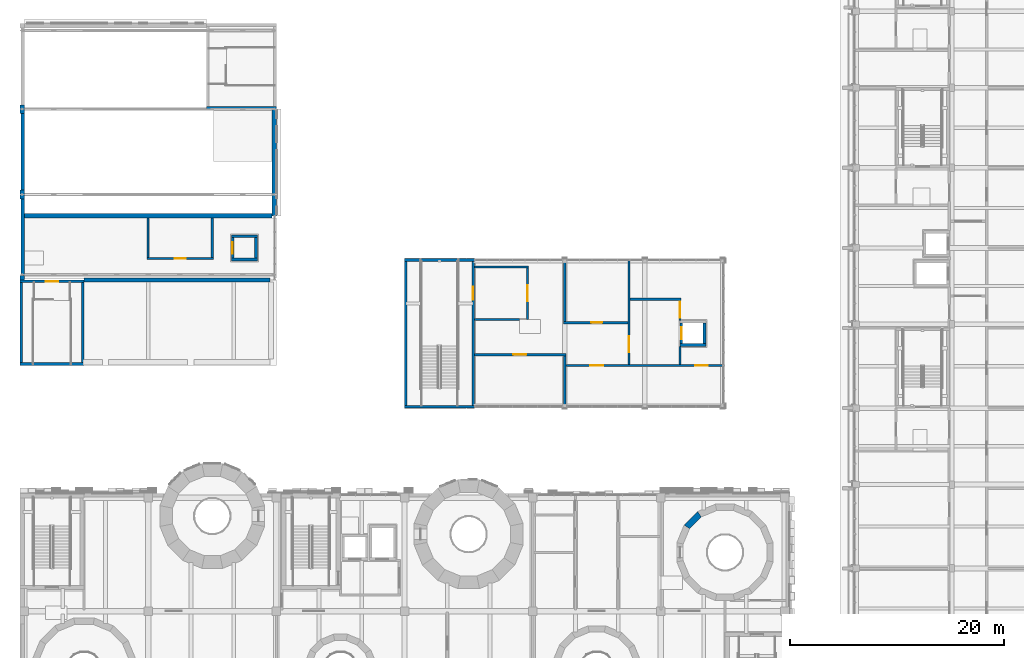
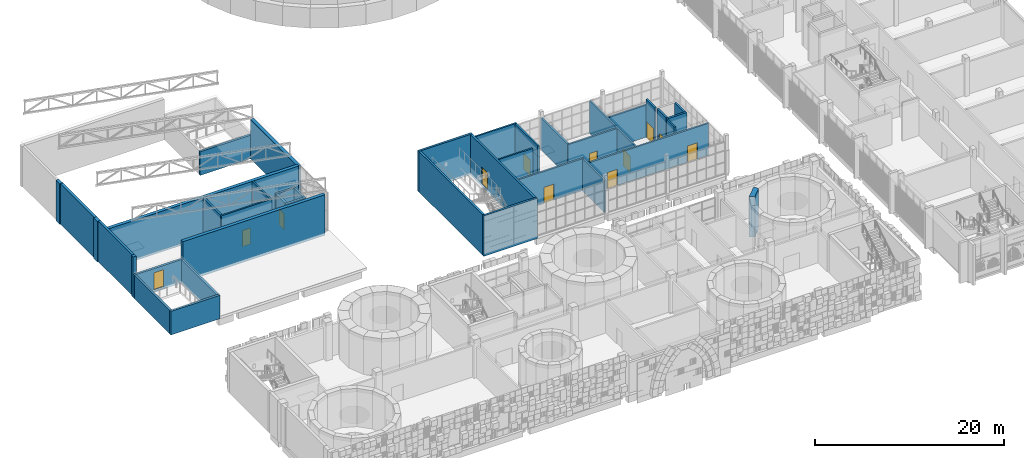
# One storey, part 67 of 125: 40 walls, 12 doors, 12 openings.
"""IFC4 building model written with IfcOpenShell, lengths in metres."""

from ifc_helpers import new_model, si_unit, direction, frame, frame_2d, origin, place, context, subcontext, project, spatial, polyline, rectangle, outline, extrude, material, layer, layer_set, type_object, element, fill, save


model = new_model("IFC4")

# Units and contexts
model_context = context("Model", 3, precision=1e-05, world=origin(), true_north=direction((0.0, 1.0)))
body_context = subcontext(model_context, "Body", "Model", "MODEL_VIEW")
ifc_project = project(units=[si_unit("LENGTHUNIT", "METRE"), si_unit("AREAUNIT", "SQUARE_METRE"), si_unit("VOLUMEUNIT", "CUBIC_METRE"), si_unit("PLANEANGLEUNIT", "RADIAN"), si_unit("MASSUNIT", "GRAM", prefix="KILO")], contexts=[model_context])

# Site, building, storey
site_placement = place(None, origin())
site = spatial("IfcSite", under=ifc_project, at=site_placement, CompositionType="ELEMENT")
building_placement = place(site_placement, origin())
building = spatial("IfcBuilding", under=site, at=building_placement, Name="Sun Court Science Centre", CompositionType="ELEMENT")
storey_placement = place(building_placement, frame((0.0, 0.0, 6.0)))
storey = spatial("IfcBuildingStorey", under=building, at=storey_placement, Name="L01", CompositionType="ELEMENT", Elevation=6.0)

# Wall, openings, doors
ifc_material_1 = material(Name="Concrete block", Category="concrete")
ifc_layer_1 = layer(ifc_material_1, 0.199951171875)
ifc_layer_set_1 = layer_set([ifc_layer_1], Name="Concrete block")
wall_type_1 = type_object("IfcWallType", Name="Partition 200 block EI60", PredefinedType="PARTITIONING", material=ifc_layer_set_1)
wall_1_placement = place(storey_placement, frame((65.800048828125, 40.0, 0.0), z_axis=(0.0, 0.0, 1.0), x_axis=(-1.0, 0.0, 0.0)))
wall_1 = element("IfcWall", 1, at=wall_1_placement, inside=storey, type_object=wall_type_1, Name="L01 partition 001", PredefinedType="PARTITIONING", context=body_context, shape_type="SweptSolid", body=[
    extrude(rectangle(XDim=14.699951171875, YDim=0.199951171875, at=frame_2d((7.35009765625, 0.0))), origin(), (0.0, 0.0, 1.0), 4.14990234375),
])
opening_1_placement = place(wall_1_placement, frame((11.198974609375, 0.0, 0.0)))
opening_1 = element("IfcOpeningElement", 2, at=opening_1_placement, cuts=wall_1, Name="Opening D-L01-074", PredefinedType="OPENING", context=body_context, shape_type="SweptSolid", body=[
    extrude(rectangle(XDim=1.199951171875, YDim=2.10009765625, at=frame_2d((0.60009765625, 1.050048828125))), frame((0.0, 0.10986328125, 0.0), z_axis=(0.0, -1.0, 0.0), x_axis=(1.0, 0.0, 0.0)), (0.0, 0.0, 1.0), 0.219970703125),
])
opening_2_placement = place(wall_1_placement, frame((1.406005859375, 0.0, 0.0)))
opening_2 = element("IfcOpeningElement", 3, at=opening_2_placement, cuts=wall_1, Name="Opening D-L01-075", PredefinedType="OPENING", context=body_context, shape_type="SweptSolid", body=[
    extrude(rectangle(XDim=1.199951171875, YDim=2.10009765625, at=frame_2d((0.60009765625, 1.050048828125))), frame((0.0, 0.10986328125, 0.0), z_axis=(0.0, -1.0, 0.0), x_axis=(1.0, 0.0, 0.0)), (0.0, 0.0, 1.0), 0.219970703125),
])
ifc_material_2 = material(Name="Timber", Category="wood")
door_type_1 = type_object("IfcDoorType", Name="Door 1200x2100 single leaf", OperationType="NOTDEFINED", PredefinedType="DOOR", material=ifc_material_2)
door_1_placement = place(opening_1_placement, origin())
door_1 = element("IfcDoor", 4, at=door_1_placement, inside=storey, type_object=door_type_1, Name="Door D-L01-074", OperationType="SINGLE_SWING_LEFT", OverallHeight=2.10009765625, OverallWidth=1.199951171875, PredefinedType="DOOR", context=body_context, shape_type="SweptSolid", body=[
    extrude(rectangle(XDim=1.199951171875, YDim=2.10009765625, at=frame_2d((0.60009765625, 1.050048828125))), frame((0.0, 0.02490234375, 0.0), z_axis=(0.0, -1.0, 0.0), x_axis=(1.0, 0.0, 0.0)), (0.0, 0.0, 1.0), 0.050048828125),
])
fill(opening_1, door_1)
door_2_placement = place(opening_2_placement, origin())
door_2 = element("IfcDoor", 5, at=door_2_placement, inside=storey, type_object=door_type_1, Name="Door D-L01-075", OperationType="SINGLE_SWING_RIGHT", OverallHeight=2.10009765625, OverallWidth=1.199951171875, PredefinedType="DOOR", context=body_context, shape_type="SweptSolid", body=[
    extrude(rectangle(XDim=1.199951171875, YDim=2.10009765625, at=frame_2d((0.60009765625, 1.050048828125))), frame((0.0, 0.02490234375, 0.0), z_axis=(0.0, -1.0, 0.0), x_axis=(1.0, 0.0, 0.0)), (0.0, 0.0, 1.0), 0.050048828125),
])
fill(opening_2, door_2)

# Wall, opening, door
wall_2_placement = place(storey_placement, frame((51.10009765625, 41.0, 0.0), z_axis=(0.0, 0.0, 1.0), x_axis=(-1.0, 0.0, 0.0)))
wall_2 = element("IfcWall", 6, at=wall_2_placement, inside=storey, type_object=wall_type_1, Name="L01 partition 002", PredefinedType="PARTITIONING", context=body_context, shape_type="SweptSolid", body=[
    extrude(rectangle(XDim=8.548095703125, YDim=0.199951171875, at=frame_2d((4.27392578125, 0.0))), origin(), (0.0, 0.0, 1.0), 4.14990234375),
])
opening_3_placement = place(wall_2_placement, frame((3.699951171875, 0.0, 0.0)))
opening_3 = element("IfcOpeningElement", 7, at=opening_3_placement, cuts=wall_2, Name="Opening D-L01-071", PredefinedType="OPENING", context=body_context, shape_type="SweptSolid", body=[
    extrude(rectangle(XDim=1.199951171875, YDim=2.10009765625, at=frame_2d((0.60009765625, 1.050048828125))), frame((0.0, 0.10986328125, 0.0), z_axis=(0.0, -1.0, 0.0), x_axis=(1.0, 0.0, 0.0)), (0.0, 0.0, 1.0), 0.219970703125),
])
door_3_placement = place(opening_3_placement, origin())
door_3 = element("IfcDoor", 8, at=door_3_placement, inside=storey, type_object=door_type_1, Name="Door D-L01-071", OperationType="SINGLE_SWING_LEFT", OverallHeight=2.10009765625, OverallWidth=1.199951171875, PredefinedType="DOOR", context=body_context, shape_type="SweptSolid", body=[
    extrude(rectangle(XDim=1.199951171875, YDim=2.10009765625, at=frame_2d((0.60009765625, 1.050048828125))), frame((0.0, 0.02490234375, 0.0), z_axis=(0.0, -1.0, 0.0), x_axis=(1.0, 0.0, 0.0)), (0.0, 0.0, 1.0), 0.050048828125),
])
fill(opening_3, door_3)

wall_3_placement = place(storey_placement, frame((50.89990234375, 44.0, 0.0), z_axis=(0.0, 0.0, 1.0), x_axis=(1.0, 0.0, 0.0)))
wall_3 = element("IfcWall", 9, at=wall_3_placement, inside=storey, type_object=wall_type_1, Name="L01 partition 003", PredefinedType="PARTITIONING", context=body_context, shape_type="SweptSolid", body=[
    extrude(rectangle(XDim=6.0, YDim=0.199951171875, at=frame_2d((3.0, 0.0))), origin(), (0.0, 0.0, 1.0), 4.14990234375),
])
opening_4_placement = place(wall_3_placement, frame((2.60009765625, 0.0, 0.0)))
opening_4 = element("IfcOpeningElement", 10, at=opening_4_placement, cuts=wall_3, Name="Opening D-L01-073", PredefinedType="OPENING", context=body_context, shape_type="SweptSolid", body=[
    extrude(rectangle(XDim=1.0, YDim=2.10009765625, at=frame_2d((0.5, 1.050048828125))), frame((0.0, 0.10986328125, 0.0), z_axis=(0.0, -1.0, 0.0), x_axis=(1.0, 0.0, 0.0)), (0.0, 0.0, 1.0), 0.219970703125),
])
ifc_material_3 = material(Name="Timber", Category="wood")
door_type_2 = type_object("IfcDoorType", Name="Door 1000x2100 single leaf", OperationType="NOTDEFINED", PredefinedType="DOOR", material=ifc_material_3)
door_4_placement = place(opening_4_placement, origin())
door_4 = element("IfcDoor", 11, at=door_4_placement, inside=storey, type_object=door_type_2, Name="Door D-L01-073", OperationType="SINGLE_SWING_LEFT", OverallHeight=2.10009765625, OverallWidth=1.0, PredefinedType="DOOR", context=body_context, shape_type="SweptSolid", body=[
    extrude(rectangle(XDim=1.0, YDim=2.10009765625, at=frame_2d((0.5, 1.050048828125))), frame((0.0, 0.02490234375, 0.0), z_axis=(0.0, -1.0, 0.0), x_axis=(1.0, 0.0, 0.0)), (0.0, 0.0, 1.0), 0.050048828125),
])
fill(opening_4, door_4)

# Walls
wall_4_placement = place(storey_placement, frame((42.552001953125, 44.300048828125, 0.0), z_axis=(0.0, 0.0, 1.0), x_axis=(1.0, 0.0, 0.0)))
element("IfcWall", 12, at=wall_4_placement, inside=storey, type_object=wall_type_1, Name="L01 partition 004", PredefinedType="PARTITIONING", context=body_context, shape_type="SweptSolid", body=[
    extrude(rectangle(XDim=4.197998046875, YDim=0.199951171875, at=frame_2d((2.09912109375, 0.0))), origin(), (0.0, 0.0, 1.0), 4.949951171875),
])
wall_5_placement = place(storey_placement, frame((57.10009765625, 46.199951171875, 0.0), z_axis=(0.0, 0.0, 1.0), x_axis=(1.0, 0.0, 0.0)))
element("IfcWall", 13, at=wall_5_placement, inside=storey, type_object=wall_type_1, Name="L01 partition 005", PredefinedType="PARTITIONING", context=body_context, shape_type="SweptSolid", body=[
    extrude(rectangle(XDim=4.789794921875, YDim=0.199951171875, at=frame_2d((2.39501953125, 0.0))), origin(), (0.0, 0.0, 1.0), 4.14990234375),
])
wall_6_placement = place(storey_placement, frame((42.552001953125, 49.199951171875, 0.0), z_axis=(0.0, 0.0, 1.0), x_axis=(1.0, 0.0, 0.0)))
element("IfcWall", 14, at=wall_6_placement, inside=storey, type_object=wall_type_1, Name="L01 partition 006", PredefinedType="PARTITIONING", context=body_context, shape_type="SweptSolid", body=[
    extrude(rectangle(XDim=5.048095703125, YDim=0.199951171875, at=frame_2d((2.52392578125, 0.0))), origin(), (0.0, 0.0, 1.0), 4.949951171875),
])
wall_7_placement = place(storey_placement, frame((61.7900390625, 40.10009765625, 0.0), z_axis=(0.0, 0.0, 1.0), x_axis=(0.0, 1.0, 0.0)))
element("IfcWall", 15, at=wall_7_placement, inside=storey, type_object=wall_type_1, Name="L01 partition 007", PredefinedType="PARTITIONING", context=body_context, shape_type="SweptSolid", body=[
    extrude(rectangle(XDim=1.685302734375, YDim=0.199951171875, at=frame_2d((0.8427734375, 0.0))), origin(), (0.0, 0.0, 1.0), 4.949951171875),
])

# Wall, opening, door
wall_8_placement = place(storey_placement, frame((61.7900390625, 44.214599609375, 0.0), z_axis=(0.0, 0.0, 1.0), x_axis=(0.0, 1.0, 0.0)))
wall_8 = element("IfcWall", 16, at=wall_8_placement, inside=storey, type_object=wall_type_1, Name="L01 partition 008", PredefinedType="PARTITIONING", context=body_context, shape_type="SweptSolid", body=[
    extrude(rectangle(XDim=1.885498046875, YDim=0.199951171875, at=frame_2d((0.94287109375, 0.0))), origin(), (0.0, 0.0, 1.0), 4.949951171875),
])
opening_5_placement = place(wall_8_placement, frame((0.242431640625, 0.0, 0.0)))
opening_5 = element("IfcOpeningElement", 17, at=opening_5_placement, cuts=wall_8, Name="Opening D-L01-076", PredefinedType="OPENING", context=body_context, shape_type="SweptSolid", body=[
    extrude(rectangle(XDim=1.5, YDim=2.10009765625, at=frame_2d((0.75, 1.050048828125))), frame((0.0, 0.10986328125, 0.0), z_axis=(0.0, -1.0, 0.0), x_axis=(1.0, 0.0, 0.0)), (0.0, 0.0, 1.0), 0.219970703125),
])
ifc_material_4 = material(Name="Timber", Category="wood")
door_type_3 = type_object("IfcDoorType", Name="Door 1500x2100 double leaf", OperationType="DOUBLE_DOOR_SINGLE_SWING", PredefinedType="DOOR", material=ifc_material_4)
door_5_placement = place(opening_5_placement, origin())
door_5 = element("IfcDoor", 18, at=door_5_placement, inside=storey, type_object=door_type_3, Name="Door D-L01-076", OperationType="DOUBLE_DOOR_SINGLE_SWING", OverallHeight=2.10009765625, OverallWidth=1.5, PredefinedType="DOOR", context=body_context, shape_type="SweptSolid", body=[
    extrude(rectangle(XDim=1.5, YDim=2.10009765625, at=frame_2d((0.75, 1.050048828125))), frame((0.0, 0.02490234375, 0.0), z_axis=(0.0, -1.0, 0.0), x_axis=(1.0, 0.0, 0.0)), (0.0, 0.0, 1.0), 0.050048828125),
])
fill(opening_5, door_5)

wall_9_placement = place(storey_placement, frame((57.0, 49.800048828125, 0.0), z_axis=(0.0, 0.0, 1.0), x_axis=(0.0, -1.0, 0.0)))
wall_9 = element("IfcWall", 19, at=wall_9_placement, inside=storey, type_object=wall_type_1, Name="L01 partition 009", PredefinedType="PARTITIONING", context=body_context, shape_type="SweptSolid", body=[
    extrude(rectangle(XDim=9.699951171875, YDim=0.199951171875, at=frame_2d((4.85009765625, 0.0))), origin(), (0.0, 0.0, 1.0), 4.14990234375),
])
opening_6_placement = place(wall_9_placement, frame((7.050048828125, 0.0, 0.0)))
opening_6 = element("IfcOpeningElement", 20, at=opening_6_placement, cuts=wall_9, Name="Opening D-L01-072", PredefinedType="OPENING", context=body_context, shape_type="SweptSolid", body=[
    extrude(rectangle(XDim=1.5, YDim=2.10009765625, at=frame_2d((0.75, 1.050048828125))), frame((0.0, 0.10986328125, 0.0), z_axis=(0.0, -1.0, 0.0), x_axis=(1.0, 0.0, 0.0)), (0.0, 0.0, 1.0), 0.219970703125),
])
door_6_placement = place(opening_6_placement, origin())
door_6 = element("IfcDoor", 21, at=door_6_placement, inside=storey, type_object=door_type_3, Name="Door D-L01-072", OperationType="DOUBLE_DOOR_SINGLE_SWING", OverallHeight=2.10009765625, OverallWidth=1.5, PredefinedType="DOOR", context=body_context, shape_type="SweptSolid", body=[
    extrude(rectangle(XDim=1.5, YDim=2.10009765625, at=frame_2d((0.75, 1.050048828125))), frame((0.0, 0.02490234375, 0.0), z_axis=(0.0, -1.0, 0.0), x_axis=(1.0, 0.0, 0.0)), (0.0, 0.0, 1.0), 0.050048828125),
])
fill(opening_6, door_6)

# Walls
wall_10_placement = place(storey_placement, frame((51.0, 36.199951171875, 0.0), z_axis=(0.0, 0.0, 1.0), x_axis=(0.0, 1.0, 0.0)))
element("IfcWall", 22, at=wall_10_placement, inside=storey, type_object=wall_type_1, Name="L01 partition 010", PredefinedType="PARTITIONING", context=body_context, shape_type="SweptSolid", body=[
    extrude(rectangle(XDim=4.699951171875, YDim=0.199951171875, at=frame_2d((2.35009765625, 0.0))), origin(), (0.0, 0.0, 1.0), 4.14990234375),
])
wall_11_placement = place(storey_placement, frame((51.0, 44.10009765625, 0.0), z_axis=(0.0, 0.0, 1.0), x_axis=(0.0, 1.0, 0.0)))
element("IfcWall", 23, at=wall_11_placement, inside=storey, type_object=wall_type_1, Name="L01 partition 011", PredefinedType="PARTITIONING", context=body_context, shape_type="SweptSolid", body=[
    extrude(rectangle(XDim=5.699951171875, YDim=0.199951171875, at=frame_2d((2.85009765625, 0.0))), origin(), (0.0, 0.0, 1.0), 4.14990234375),
])

# Wall, opening, door
wall_12_placement = place(storey_placement, frame((47.5, 49.10009765625, 0.0), z_axis=(0.0, 0.0, 1.0), x_axis=(0.0, -1.0, 0.0)))
wall_12 = element("IfcWall", 24, at=wall_12_placement, inside=storey, type_object=wall_type_1, Name="L01 partition 012", PredefinedType="PARTITIONING", context=body_context, shape_type="SweptSolid", body=[
    extrude(rectangle(XDim=4.800048828125, YDim=0.199951171875, at=frame_2d((2.39990234375, 0.0))), origin(), (0.0, 0.0, 1.0), 4.949951171875),
])
opening_7_placement = place(wall_12_placement, frame((1.60009765625, 0.0, 0.0)))
opening_7 = element("IfcOpeningElement", 25, at=opening_7_placement, cuts=wall_12, Name="Opening D-L01-069", PredefinedType="OPENING", context=body_context, shape_type="SweptSolid", body=[
    extrude(rectangle(XDim=1.5, YDim=2.10009765625, at=frame_2d((0.75, 1.050048828125))), frame((0.0, 0.10986328125, 0.0), z_axis=(0.0, -1.0, 0.0), x_axis=(1.0, 0.0, 0.0)), (0.0, 0.0, 1.0), 0.219970703125),
])
ifc_material_5 = material(Name="Steel", Category="steel")
door_type_4 = type_object("IfcDoorType", Name="Door 1500x2100 double leaf FD60", OperationType="DOUBLE_DOOR_SINGLE_SWING", PredefinedType="DOOR", material=ifc_material_5)
door_7_placement = place(opening_7_placement, origin())
door_7 = element("IfcDoor", 26, at=door_7_placement, inside=storey, type_object=door_type_4, Name="Door D-L01-069", OperationType="DOUBLE_DOOR_SINGLE_SWING", OverallHeight=2.10009765625, OverallWidth=1.5, PredefinedType="DOOR", context=body_context, shape_type="SweptSolid", body=[
    extrude(rectangle(XDim=1.5, YDim=2.10009765625, at=frame_2d((0.75, 1.050048828125))), frame((0.0, 0.02490234375, 0.0), z_axis=(0.0, -1.0, 0.0), x_axis=(1.0, 0.0, 0.0)), (0.0, 0.0, 1.0), 0.050048828125),
])
fill(opening_7, door_7)

ifc_material_6 = material(Name="Concrete block", Category="concrete")
ifc_layer_2 = layer(ifc_material_6, 0.199951171875)
ifc_layer_set_2 = layer_set([ifc_layer_2], Name="Concrete block")
wall_type_2 = type_object("IfcWallType", Name="Partition 200 projection room block EI180", PredefinedType="PARTITIONING", material=ifc_layer_set_2)
wall_13_placement = place(storey_placement, frame((11.89990234375, 50.0, 0.0), z_axis=(0.0, 0.0, 1.0), x_axis=(1.0, 0.0, 0.0)))
wall_13 = element("IfcWall", 27, at=wall_13_placement, inside=storey, type_object=wall_type_2, Name="L01 partition 001", PredefinedType="PARTITIONING", context=body_context, shape_type="SweptSolid", body=[
    extrude(rectangle(XDim=6.2001953125, YDim=0.199951171875, at=frame_2d((3.10009765625, 0.0))), origin(), (0.0, 0.0, 1.0), 4.949951171875),
])
opening_8_placement = place(wall_13_placement, frame((2.60009765625, 0.0, 0.0)))
opening_8 = element("IfcOpeningElement", 28, at=opening_8_placement, cuts=wall_13, Name="Opening D-L01-055", PredefinedType="OPENING", context=body_context, shape_type="SweptSolid", body=[
    extrude(rectangle(XDim=1.0, YDim=2.10009765625, at=frame_2d((0.5, 1.050048828125))), frame((0.0, 0.10986328125, 0.0), z_axis=(0.0, -1.0, 0.0), x_axis=(1.0, 0.0, 0.0)), (0.0, 0.0, 1.0), 0.219970703125),
])
door_8_placement = place(opening_8_placement, origin())
door_8 = element("IfcDoor", 29, at=door_8_placement, inside=storey, type_object=door_type_2, Name="Door D-L01-055", OperationType="SINGLE_SWING_RIGHT", OverallHeight=2.10009765625, OverallWidth=1.0, PredefinedType="DOOR", context=body_context, shape_type="SweptSolid", body=[
    extrude(rectangle(XDim=1.0, YDim=2.10009765625, at=frame_2d((0.5, 1.050048828125))), frame((0.0, 0.02490234375, 0.0), z_axis=(0.0, -1.0, 0.0), x_axis=(1.0, 0.0, 0.0)), (0.0, 0.0, 1.0), 0.050048828125),
])
fill(opening_8, door_8)

# Walls
for number, where, z_axis, x_axis, name in (
    (30, (18.0, 50.10009765625, 0.0), (0.0, 0.0, 1.0), (0.0, 1.0, 0.0), "L01 partition 002"),
    (31, (12.0, 50.10009765625, 0.0), (0.0, 0.0, 1.0), (0.0, 1.0, 0.0), "L01 partition 003"),
):
    element("IfcWall", number, at=place(storey_placement, frame(where, z_axis=z_axis, x_axis=x_axis)), inside=storey, type_object=wall_type_2, Name=name, PredefinedType="PARTITIONING", context=body_context, shape_type="SweptSolid", body=[
        extrude(rectangle(XDim=3.697998046875, YDim=0.199951171875, at=frame_2d((1.84912109375, 0.0))), origin(), (0.0, 0.0, 1.0), 4.949951171875),
    ])
ifc_material_7 = material(Name="Concrete C30/37", Category="concrete")
ifc_layer_3 = layer(ifc_material_7, 0.60009765625)
ifc_layer_set_3 = layer_set([ifc_layer_3], Name="Concrete C30/37")
wall_type_3 = type_object("IfcWallType", Name="RC cone ring wall 600", PredefinedType="SHEAR", material=ifc_layer_set_3)
wall_14_placement = place(storey_placement, frame((63.656494140625, 26.112548828125, -0.300048828125), z_axis=(0.0, 0.0, 1.0), x_axis=(-0.707106781187, -0.707106781187, 0.0)))
element("IfcWall", 32, at=wall_14_placement, inside=storey, type_object=wall_type_3, Name="Cone 6 ring wall L01 segment 6", PredefinedType="SHEAR", context=body_context, shape_type="SweptSolid", body=[
    extrude(outline(polyline([(0.0, -0.300048828125), (1.794677734375, -0.300048828125), (1.67529296875, 0.2998046875), (0.119384765625, 0.2998046875), (0.0, -0.300048828125)])), origin(), (0.0, 0.0, 1.0), 5.25),
])
ifc_material_8 = material(Name="Concrete C30/37", Category="concrete")
ifc_layer_4 = layer(ifc_material_8, 0.300048828125)
ifc_layer_set_4 = layer_set([ifc_layer_4], Name="Concrete C30/37")
wall_type_4 = type_object("IfcWallType", Name="RC party wall panel exterior 300", PredefinedType="SOLIDWALL", material=ifc_layer_set_4)
for number, where, z_axis, x_axis, name in (
    (33, (0.25, 48.39990234375, -0.300048828125), (0.0, 0.0, 1.0), (0.0, 1.0, 0.0), "West party wall panel L01"),
    (34, (0.25, 56.39990234375, -0.300048828125), (0.0, 0.0, 1.0), (0.0, 1.0, 0.0), "West party wall panel L01"),
):
    element("IfcWall", number, at=place(storey_placement, frame(where, z_axis=z_axis, x_axis=x_axis)), inside=storey, type_object=wall_type_4, Name=name, PredefinedType="SOLIDWALL", context=body_context, shape_type="SweptSolid", body=[
        extrude(rectangle(XDim=7.2001953125, YDim=0.300048828125, at=frame_2d((3.60009765625, 0.0))), origin(), (0.0, 0.0, 1.0), 5.25),
    ])
ifc_material_9 = material(Name="Concrete C30/37", Category="concrete")
ifc_layer_5 = layer(ifc_material_9, 0.25)
ifc_layer_set_5 = layer_set([ifc_layer_5], Name="Concrete C30/37")
wall_type_5 = type_object("IfcWallType", Name="RC shaft wall 250", PredefinedType="SHEAR", material=ifc_layer_set_5)
wall_15_placement = place(storey_placement, frame((19.78759765625, 49.91259765625, -0.300048828125), z_axis=(0.0, 0.0, 1.0), x_axis=(1.0, 0.0, 0.0)))
element("IfcWall", 35, at=wall_15_placement, inside=storey, type_object=wall_type_5, Name="Lift core LT1 wall S, L01", PredefinedType="SHEAR", context=body_context, shape_type="SweptSolid", body=[
    extrude(rectangle(XDim=2.4248046875, YDim=0.25, at=frame_2d((1.21240234375, 0.0))), origin(), (0.0, 0.0, 1.0), 4.050048828125),
])
wall_16_placement = place(storey_placement, frame((22.08740234375, 50.03759765625, -0.300048828125), z_axis=(0.0, 0.0, 1.0), x_axis=(0.0, 1.0, 0.0)))
element("IfcWall", 36, at=wall_16_placement, inside=storey, type_object=wall_type_5, Name="Lift core LT1 wall E, L01", PredefinedType="SHEAR", context=body_context, shape_type="SweptSolid", body=[
    extrude(rectangle(XDim=1.9248046875, YDim=0.25, at=frame_2d((0.96240234375, 0.0))), origin(), (0.0, 0.0, 1.0), 4.050048828125),
])
wall_17_placement = place(storey_placement, frame((19.78759765625, 52.08740234375, -0.300048828125), z_axis=(0.0, 0.0, 1.0), x_axis=(1.0, 0.0, 0.0)))
element("IfcWall", 37, at=wall_17_placement, inside=storey, type_object=wall_type_5, Name="Lift core LT1 wall N, L01", PredefinedType="SHEAR", context=body_context, shape_type="SweptSolid", body=[
    extrude(rectangle(XDim=2.4248046875, YDim=0.25, at=frame_2d((1.21240234375, 0.0))), origin(), (0.0, 0.0, 1.0), 4.050048828125),
])

# Wall, opening, door
wall_18_placement = place(storey_placement, frame((19.91259765625, 50.03759765625, -0.300048828125), z_axis=(0.0, 0.0, 1.0), x_axis=(0.0, 1.0, 0.0)))
wall_18 = element("IfcWall", 38, at=wall_18_placement, inside=storey, type_object=wall_type_5, Name="Lift core LT1 wall W, L01", PredefinedType="SHEAR", context=body_context, shape_type="SweptSolid", body=[
    extrude(rectangle(XDim=1.9248046875, YDim=0.25, at=frame_2d((0.96240234375, 0.0))), origin(), (0.0, 0.0, 1.0), 4.050048828125),
])
opening_9_placement = place(wall_18_placement, frame((0.41259765625, 0.0, 0.300048828125)))
opening_9 = element("IfcOpeningElement", 39, at=opening_9_placement, cuts=wall_18, Name="Opening D-L01-054", PredefinedType="OPENING", context=body_context, shape_type="SweptSolid", body=[
    extrude(rectangle(XDim=1.10009765625, YDim=2.10009765625, at=frame_2d((0.550048828125, 1.050048828125))), frame((0.0, 0.135009765625, 0.0), z_axis=(0.0, -1.0, 0.0), x_axis=(1.0, 0.0, 0.0)), (0.0, 0.0, 1.0), 0.27001953125),
])
ifc_material_10 = material(Name="Steel", Category="steel")
door_type_5 = type_object("IfcDoorType", Name="Lift landing door 1100x2100 sliding", OperationType="DOUBLE_DOOR_SLIDING", PredefinedType="DOOR", material=ifc_material_10)
door_9_placement = place(opening_9_placement, origin())
door_9 = element("IfcDoor", 40, at=door_9_placement, inside=storey, type_object=door_type_5, Name="Lift landing door D-L01-054", OperationType="DOUBLE_DOOR_SLIDING", OverallHeight=2.10009765625, OverallWidth=1.10009765625, PredefinedType="DOOR", context=body_context, shape_type="SweptSolid", body=[
    extrude(rectangle(XDim=1.10009765625, YDim=2.10009765625, at=frame_2d((0.550048828125, 1.050048828125))), frame((0.0, 0.02490234375, 0.0), z_axis=(0.0, -1.0, 0.0), x_axis=(1.0, 0.0, 0.0)), (0.0, 0.0, 1.0), 0.050048828125),
])
fill(opening_9, door_9)

# Walls
wall_19_placement = place(storey_placement, frame((61.78759765625, 41.91259765625, -0.300048828125), z_axis=(0.0, 0.0, 1.0), x_axis=(1.0, 0.0, 0.0)))
element("IfcWall", 41, at=wall_19_placement, inside=storey, type_object=wall_type_5, Name="Lift core LP1 wall S, L01", PredefinedType="SHEAR", context=body_context, shape_type="SweptSolid", body=[
    extrude(rectangle(XDim=2.4248046875, YDim=0.25, at=frame_2d((1.21240234375, 0.0))), origin(), (0.0, 0.0, 1.0), 5.25),
])
wall_20_placement = place(storey_placement, frame((64.08740234375, 42.03759765625, -0.300048828125), z_axis=(0.0, 0.0, 1.0), x_axis=(0.0, 1.0, 0.0)))
element("IfcWall", 42, at=wall_20_placement, inside=storey, type_object=wall_type_5, Name="Lift core LP1 wall E, L01", PredefinedType="SHEAR", context=body_context, shape_type="SweptSolid", body=[
    extrude(rectangle(XDim=1.9248046875, YDim=0.25, at=frame_2d((0.96240234375, 0.0))), origin(), (0.0, 0.0, 1.0), 5.25),
])

# Wall, opening, door
wall_21_placement = place(storey_placement, frame((61.91259765625, 42.03759765625, -0.300048828125), z_axis=(0.0, 0.0, 1.0), x_axis=(0.0, 1.0, 0.0)))
wall_21 = element("IfcWall", 43, at=wall_21_placement, inside=storey, type_object=wall_type_5, Name="Lift core LP1 wall W, L01", PredefinedType="SHEAR", context=body_context, shape_type="SweptSolid", body=[
    extrude(rectangle(XDim=1.9248046875, YDim=0.25, at=frame_2d((0.96240234375, 0.0))), origin(), (0.0, 0.0, 1.0), 5.25),
])
opening_10_placement = place(wall_21_placement, frame((0.41259765625, 0.0, 0.300048828125)))
opening_10 = element("IfcOpeningElement", 44, at=opening_10_placement, cuts=wall_21, Name="Opening D-L01-070", PredefinedType="OPENING", context=body_context, shape_type="SweptSolid", body=[
    extrude(rectangle(XDim=1.10009765625, YDim=2.10009765625, at=frame_2d((0.550048828125, 1.050048828125))), frame((0.0, 0.135009765625, 0.0), z_axis=(0.0, -1.0, 0.0), x_axis=(1.0, 0.0, 0.0)), (0.0, 0.0, 1.0), 0.27001953125),
])
door_10_placement = place(opening_10_placement, origin())
door_10 = element("IfcDoor", 45, at=door_10_placement, inside=storey, type_object=door_type_5, Name="Lift landing door D-L01-070", OperationType="DOUBLE_DOOR_SLIDING", OverallHeight=2.10009765625, OverallWidth=1.10009765625, PredefinedType="DOOR", context=body_context, shape_type="SweptSolid", body=[
    extrude(rectangle(XDim=1.10009765625, YDim=2.10009765625, at=frame_2d((0.550048828125, 1.050048828125))), frame((0.0, 0.02490234375, 0.0), z_axis=(0.0, -1.0, 0.0), x_axis=(1.0, 0.0, 0.0)), (0.0, 0.0, 1.0), 0.050048828125),
])
fill(opening_10, door_10)

# Walls
ifc_material_11 = material(Name="Concrete C30/37", Category="concrete")
ifc_layer_6 = layer(ifc_material_11, 0.25)
ifc_layer_set_6 = layer_set([ifc_layer_6], Name="Concrete C30/37")
wall_type_6 = type_object("IfcWallType", Name="RC stair core wall 250", PredefinedType="SHEAR", material=ifc_layer_set_6)
wall_22_placement = place(storey_placement, frame((0.0, 40.125, -0.300048828125), z_axis=(0.0, 0.0, 1.0), x_axis=(1.0, 0.0, 0.0)))
element("IfcWall", 46, at=wall_22_placement, inside=storey, type_object=wall_type_6, Name="Stair core ST1 wall S, L01", PredefinedType="SHEAR", context=body_context, shape_type="SweptSolid", body=[
    extrude(rectangle(XDim=6.0, YDim=0.25, at=frame_2d((3.0, 0.0))), origin(), (0.0, 0.0, 1.0), 3.050048828125),
])
wall_23_placement = place(storey_placement, frame((5.875, 40.25, -0.300048828125), z_axis=(0.0, 0.0, 1.0), x_axis=(0.0, 1.0, 0.0)))
element("IfcWall", 47, at=wall_23_placement, inside=storey, type_object=wall_type_6, Name="Stair core ST1 wall E, L01", PredefinedType="SHEAR", context=body_context, shape_type="SweptSolid", body=[
    extrude(rectangle(XDim=7.5, YDim=0.25, at=frame_2d((3.75, 0.0))), origin(), (0.0, 0.0, 1.0), 3.050048828125),
])

# Wall, opening, door
wall_24_placement = place(storey_placement, frame((0.0, 47.875, -0.300048828125), z_axis=(0.0, 0.0, 1.0), x_axis=(1.0, 0.0, 0.0)))
wall_24 = element("IfcWall", 48, at=wall_24_placement, inside=storey, type_object=wall_type_6, Name="Stair core ST1 wall N, L01", PredefinedType="SHEAR", context=body_context, shape_type="SweptSolid", body=[
    extrude(rectangle(XDim=6.0, YDim=0.25, at=frame_2d((3.0, 0.0))), origin(), (0.0, 0.0, 1.0), 3.050048828125),
])
opening_11_placement = place(wall_24_placement, frame((2.39892578125, 0.0, 0.300048828125)))
opening_11 = element("IfcOpeningElement", 49, at=opening_11_placement, cuts=wall_24, Name="Opening D-L01-053", PredefinedType="OPENING", context=body_context, shape_type="SweptSolid", body=[
    extrude(rectangle(XDim=1.199951171875, YDim=2.199951171875, at=frame_2d((0.60009765625, 1.10009765625))), frame((0.0, 0.135009765625, 0.0), z_axis=(0.0, -1.0, 0.0), x_axis=(1.0, 0.0, 0.0)), (0.0, 0.0, 1.0), 0.27001953125),
])
ifc_material_12 = material(Name="Steel", Category="steel")
door_type_6 = type_object("IfcDoorType", Name="Door 1200x2200 single leaf FD60", OperationType="NOTDEFINED", PredefinedType="DOOR", material=ifc_material_12)
door_11_placement = place(opening_11_placement, origin())
door_11 = element("IfcDoor", 50, at=door_11_placement, inside=storey, type_object=door_type_6, Name="Door D-L01-053", OperationType="SINGLE_SWING_LEFT", OverallHeight=2.199951171875, OverallWidth=1.199951171875, PredefinedType="DOOR", context=body_context, shape_type="SweptSolid", body=[
    extrude(rectangle(XDim=1.199951171875, YDim=2.199951171875, at=frame_2d((0.60009765625, 1.10009765625))), frame((0.0, 0.02490234375, 0.0), z_axis=(0.0, -1.0, 0.0), x_axis=(1.0, 0.0, 0.0)), (0.0, 0.0, 1.0), 0.050048828125),
])
fill(opening_11, door_11)

# Walls
wall_25_placement = place(storey_placement, frame((0.125, 40.25, -0.300048828125), z_axis=(0.0, 0.0, 1.0), x_axis=(0.0, 1.0, 0.0)))
element("IfcWall", 51, at=wall_25_placement, inside=storey, type_object=wall_type_6, Name="Stair core ST1 wall W, L01", PredefinedType="SHEAR", context=body_context, shape_type="SweptSolid", body=[
    extrude(rectangle(XDim=7.5, YDim=0.25, at=frame_2d((3.75, 0.0))), origin(), (0.0, 0.0, 1.0), 3.050048828125),
])
wall_26_placement = place(storey_placement, frame((17.449951171875, 64.125, -0.300048828125), z_axis=(0.0, 0.0, 1.0), x_axis=(1.0, 0.0, 0.0)))
element("IfcWall", 52, at=wall_26_placement, inside=storey, type_object=wall_type_6, Name="Stair core ST2 wall S, L01", PredefinedType="SHEAR", context=body_context, shape_type="SweptSolid", body=[
    extrude(rectangle(XDim=6.550048828125, YDim=0.25, at=frame_2d((3.27490234375, 0.0))), origin(), (0.0, 0.0, 1.0), 3.050048828125),
])
wall_27_placement = place(storey_placement, frame((36.0, 36.125, -0.300048828125), z_axis=(0.0, 0.0, 1.0), x_axis=(1.0, 0.0, 0.0)))
element("IfcWall", 53, at=wall_27_placement, inside=storey, type_object=wall_type_6, Name="Stair core SP1 wall S, L01", PredefinedType="SHEAR", context=body_context, shape_type="SweptSolid", body=[
    extrude(rectangle(XDim=6.550048828125, YDim=0.25, at=frame_2d((3.27490234375, 0.0))), origin(), (0.0, 0.0, 1.0), 5.25),
])

# Wall, opening, door
wall_28_placement = place(storey_placement, frame((42.425048828125, 36.25, -0.300048828125), z_axis=(0.0, 0.0, 1.0), x_axis=(0.0, 1.0, 0.0)))
wall_28 = element("IfcWall", 54, at=wall_28_placement, inside=storey, type_object=wall_type_6, Name="Stair core SP1 wall E, L01", PredefinedType="SHEAR", context=body_context, shape_type="SweptSolid", body=[
    extrude(rectangle(XDim=13.5, YDim=0.25, at=frame_2d((6.75, 0.0))), origin(), (0.0, 0.0, 1.0), 5.25),
])
opening_12_placement = place(wall_28_placement, frame((9.89990234375, 0.0, 0.300048828125)))
opening_12 = element("IfcOpeningElement", 55, at=opening_12_placement, cuts=wall_28, Name="Opening D-L01-068", PredefinedType="OPENING", context=body_context, shape_type="SweptSolid", body=[
    extrude(rectangle(XDim=1.199951171875, YDim=2.199951171875, at=frame_2d((0.60009765625, 1.10009765625))), frame((0.0, 0.135009765625, 0.0), z_axis=(0.0, -1.0, 0.0), x_axis=(1.0, 0.0, 0.0)), (0.0, 0.0, 1.0), 0.27001953125),
])
door_12_placement = place(opening_12_placement, origin())
door_12 = element("IfcDoor", 56, at=door_12_placement, inside=storey, type_object=door_type_6, Name="Door D-L01-068", OperationType="SINGLE_SWING_LEFT", OverallHeight=2.199951171875, OverallWidth=1.199951171875, PredefinedType="DOOR", context=body_context, shape_type="SweptSolid", body=[
    extrude(rectangle(XDim=1.199951171875, YDim=2.199951171875, at=frame_2d((0.60009765625, 1.10009765625))), frame((0.0, 0.02490234375, 0.0), z_axis=(0.0, -1.0, 0.0), x_axis=(1.0, 0.0, 0.0)), (0.0, 0.0, 1.0), 0.050048828125),
])
fill(opening_12, door_12)

# Walls
wall_29_placement = place(storey_placement, frame((36.0, 49.875, -0.300048828125), z_axis=(0.0, 0.0, 1.0), x_axis=(1.0, 0.0, 0.0)))
element("IfcWall", 57, at=wall_29_placement, inside=storey, type_object=wall_type_6, Name="Stair core SP1 wall N, L01", PredefinedType="SHEAR", context=body_context, shape_type="SweptSolid", body=[
    extrude(rectangle(XDim=6.550048828125, YDim=0.25, at=frame_2d((3.27490234375, 0.0))), origin(), (0.0, 0.0, 1.0), 5.25),
])
wall_30_placement = place(storey_placement, frame((36.125, 36.25, -0.300048828125), z_axis=(0.0, 0.0, 1.0), x_axis=(0.0, 1.0, 0.0)))
element("IfcWall", 58, at=wall_30_placement, inside=storey, type_object=wall_type_6, Name="Stair core SP1 wall W, L01", PredefinedType="SHEAR", context=body_context, shape_type="SweptSolid", body=[
    extrude(rectangle(XDim=13.5, YDim=0.25, at=frame_2d((6.75, 0.0))), origin(), (0.0, 0.0, 1.0), 5.25),
])
ifc_material_13 = material(Name="Concrete C30/37", Category="concrete")
ifc_layer_7 = layer(ifc_material_13, 0.39990234375)
ifc_layer_set_7 = layer_set([ifc_layer_7], Name="Concrete C30/37")
wall_type_7 = type_object("IfcWallType", Name="RC theatre wall exterior 400", PredefinedType="SOLIDWALL", material=ifc_layer_set_7)
wall_31_placement = place(storey_placement, frame((0.199951171875, 48.0, -0.300048828125), z_axis=(0.0, 0.0, 1.0), x_axis=(0.0, 1.0, 0.0)))
element("IfcWall", 59, at=wall_31_placement, inside=storey, type_object=wall_type_7, Name="West party wall L01", PredefinedType="SOLIDWALL", context=body_context, shape_type="SweptSolid", body=[
    extrude(rectangle(XDim=0.39990234375, YDim=0.39990234375, at=frame_2d((0.199951171875, 0.0))), origin(), (0.0, 0.0, 1.0), 5.25),
])
for number, where, z_axis, x_axis, name in (
    (60, (0.199951171875, 55.60009765625, -0.300048828125), (0.0, 0.0, 1.0), (0.0, 1.0, 0.0), "West party wall L01"),
    (61, (0.199951171875, 63.60009765625, -0.300048828125), (0.0, 0.0, 1.0), (0.0, 1.0, 0.0), "West party wall L01"),
):
    element("IfcWall", number, at=place(storey_placement, frame(where, z_axis=z_axis, x_axis=x_axis)), inside=storey, type_object=wall_type_7, Name=name, PredefinedType="SOLIDWALL", context=body_context, shape_type="SweptSolid", body=[
        extrude(rectangle(XDim=0.7998046875, YDim=0.39990234375, at=frame_2d((0.39990234375, 0.0))), origin(), (0.0, 0.0, 1.0), 5.25),
    ])
wall_32_placement = place(storey_placement, frame((23.800048828125, 54.0, -0.300048828125), z_axis=(0.0, 0.0, 1.0), x_axis=(0.0, 1.0, 0.0)))
element("IfcWall", 62, at=wall_32_placement, inside=storey, type_object=wall_type_7, Name="East acoustic wall L01", PredefinedType="SOLIDWALL", context=body_context, shape_type="SweptSolid", body=[
    extrude(rectangle(XDim=10.0, YDim=0.39990234375, at=frame_2d((5.0, 0.0))), origin(), (0.0, 0.0, 1.0), 5.117431640625),
])
wall_33_placement = place(storey_placement, frame((6.0, 48.0, -0.300048828125), z_axis=(0.0, 0.0, 1.0), x_axis=(1.0, 0.0, 0.0)))
element("IfcWall", 63, at=wall_33_placement, inside=storey, type_object=wall_type_7, Name="Foyer back wall L01", PredefinedType="SOLIDWALL", context=body_context, shape_type="SweptSolid", body=[
    extrude(rectangle(XDim=17.39990234375, YDim=0.39990234375, at=frame_2d((8.699951171875, 0.0))), origin(), (0.0, 0.0, 1.0), 5.25),
])
wall_34_placement = place(storey_placement, frame((0.39990234375, 54.0, -0.300048828125), z_axis=(0.0, 0.0, 1.0), x_axis=(1.0, 0.0, 0.0)))
element("IfcWall", 64, at=wall_34_placement, inside=storey, type_object=wall_type_7, Name="Auditorium front wall L01", PredefinedType="SOLIDWALL", context=body_context, shape_type="SweptSolid", body=[
    extrude(rectangle(XDim=23.2001953125, YDim=0.39990234375, at=frame_2d((11.60009765625, 0.0))), origin(), (0.0, 0.0, 1.0), 5.25),
])

save(model, "model.ifc")
